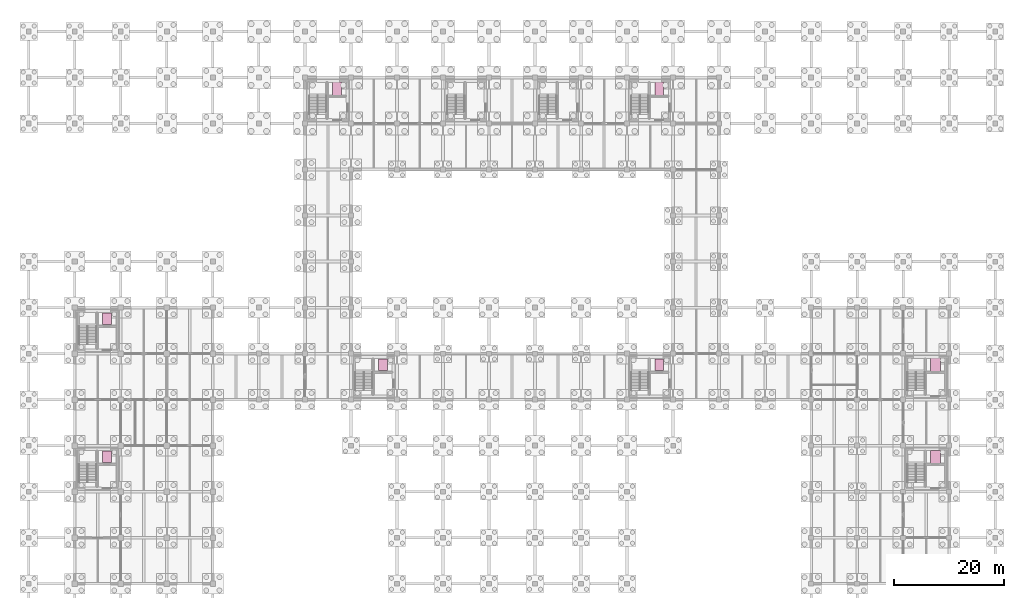
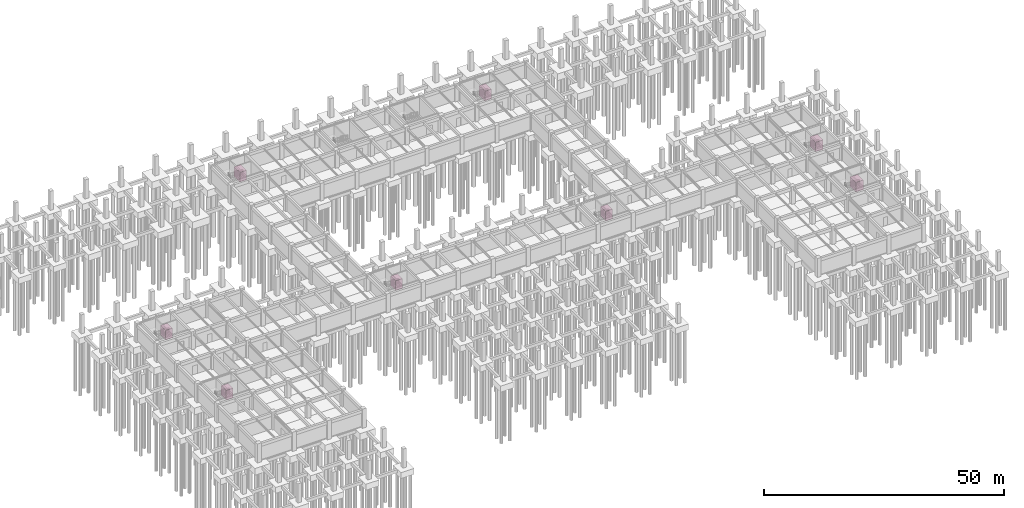
# One storey, part 29 of 29: 8 transport elements.
"""IFC4 building model written with IfcOpenShell, lengths in metres."""

from ifc_helpers import new_model, si_unit, direction, frame, origin, origin_2d, place, context, subcontext, project, spatial, rectangle, extrude, material, type_object, element, save


model = new_model("IFC4")

# Units and contexts
model_context = context("Model", 3, precision=1e-05, world=origin(), true_north=direction((0.0, 1.0)))
body_context = subcontext(model_context, "Body", "Model", "MODEL_VIEW")
ifc_project = project(units=[si_unit("LENGTHUNIT", "METRE"), si_unit("AREAUNIT", "SQUARE_METRE"), si_unit("VOLUMEUNIT", "CUBIC_METRE"), si_unit("PLANEANGLEUNIT", "RADIAN"), si_unit("MASSUNIT", "GRAM", prefix="KILO")], contexts=[model_context])

# Site, building, storey
site_placement = place(None, origin())
site = spatial("IfcSite", under=ifc_project, at=site_placement, CompositionType="ELEMENT")
building_placement = place(site_placement, origin())
building = spatial("IfcBuilding", under=site, at=building_placement, Name="Porcellanite Civic Hall", CompositionType="ELEMENT")
storey_placement = place(building_placement, frame((0.0, 0.0, -4.5)))
storey = spatial("IfcBuildingStorey", under=building, at=storey_placement, Name="B1", CompositionType="ELEMENT", Elevation=-4.5)

# Transport elements
ifc_material_1 = material(Name="Stainless steel 316 lift car", Category="steel")
transport_element_type_1 = type_object("IfcTransportElementType", Name="LFT-FF2000", PredefinedType="ELEVATOR", material=ifc_material_1)
for number, where, z_axis, x_axis, name in (
    (1, (56.27490234375, 107.1650390625, 0.0), (0.0, 0.0, 1.0), (1.0, 0.0, 0.0), "Elevator LF-01"),
    (2, (115.074951171875, 107.1650390625, 0.0), (0.0, 0.0, 1.0), (1.0, 0.0, 0.0), "Elevator LF-02"),
):
    element("IfcTransportElement", number, at=place(storey_placement, frame(where, z_axis=z_axis, x_axis=x_axis)), inside=storey, type_object=transport_element_type_1, Name=name, PredefinedType="ELEVATOR", context=body_context, shape_type="SweptSolid", body=[
        extrude(rectangle(XDim=1.60009765625, YDim=2.39990234375, at=origin_2d()), origin(), (0.0, 0.0, 1.0), 2.449951171875),
    ])
ifc_material_2 = material(Name="Stainless steel 316 lift car", Category="steel")
transport_element_type_2 = type_object("IfcTransportElementType", Name="LFT-GDS2500", PredefinedType="ELEVATOR", material=ifc_material_2)
for number, where, z_axis, x_axis, name in (
    (3, (165.47509765625, 39.965087890625, 0.0), (0.0, 0.0, 1.0), (1.0, 0.0, 0.0), "Elevator LF-07"),
    (4, (165.47509765625, 56.764892578125, 0.0), (0.0, 0.0, 1.0), (1.0, 0.0, 0.0), "Elevator LF-08"),
):
    element("IfcTransportElement", number, at=place(storey_placement, frame(where, z_axis=z_axis, x_axis=x_axis)), inside=storey, type_object=transport_element_type_2, Name=name, PredefinedType="ELEVATOR", context=body_context, shape_type="SweptSolid", body=[
        extrude(rectangle(XDim=1.800048828125, YDim=2.39990234375, at=origin_2d()), origin(), (0.0, 0.0, 1.0), 2.449951171875),
    ])
ifc_material_3 = material(Name="Stainless steel 316 lift car", Category="steel")
transport_element_type_3 = type_object("IfcTransportElementType", Name="LFT-PAX1600", PredefinedType="ELEVATOR", material=ifc_material_3)
for number, where, z_axis, x_axis, name in (
    (5, (14.27490234375, 39.965087890625, 0.0), (0.0, 0.0, 1.0), (1.0, 0.0, 0.0), "Elevator LF-03"),
    (6, (14.27490234375, 65.1650390625, 0.0), (0.0, 0.0, 1.0), (1.0, 0.0, 0.0), "Elevator LF-04"),
    (7, (64.675048828125, 56.764892578125, 0.0), (0.0, 0.0, 1.0), (1.0, 0.0, 0.0), "Elevator LF-05"),
    (8, (115.074951171875, 56.764892578125, 0.0), (0.0, 0.0, 1.0), (1.0, 0.0, 0.0), "Elevator LF-06"),
):
    element("IfcTransportElement", number, at=place(storey_placement, frame(where, z_axis=z_axis, x_axis=x_axis)), inside=storey, type_object=transport_element_type_3, Name=name, PredefinedType="ELEVATOR", context=body_context, shape_type="SweptSolid", body=[
        extrude(rectangle(XDim=1.60009765625, YDim=2.10009765625, at=origin_2d()), origin(), (0.0, 0.0, 1.0), 2.449951171875),
    ])

save(model, "model.ifc")
